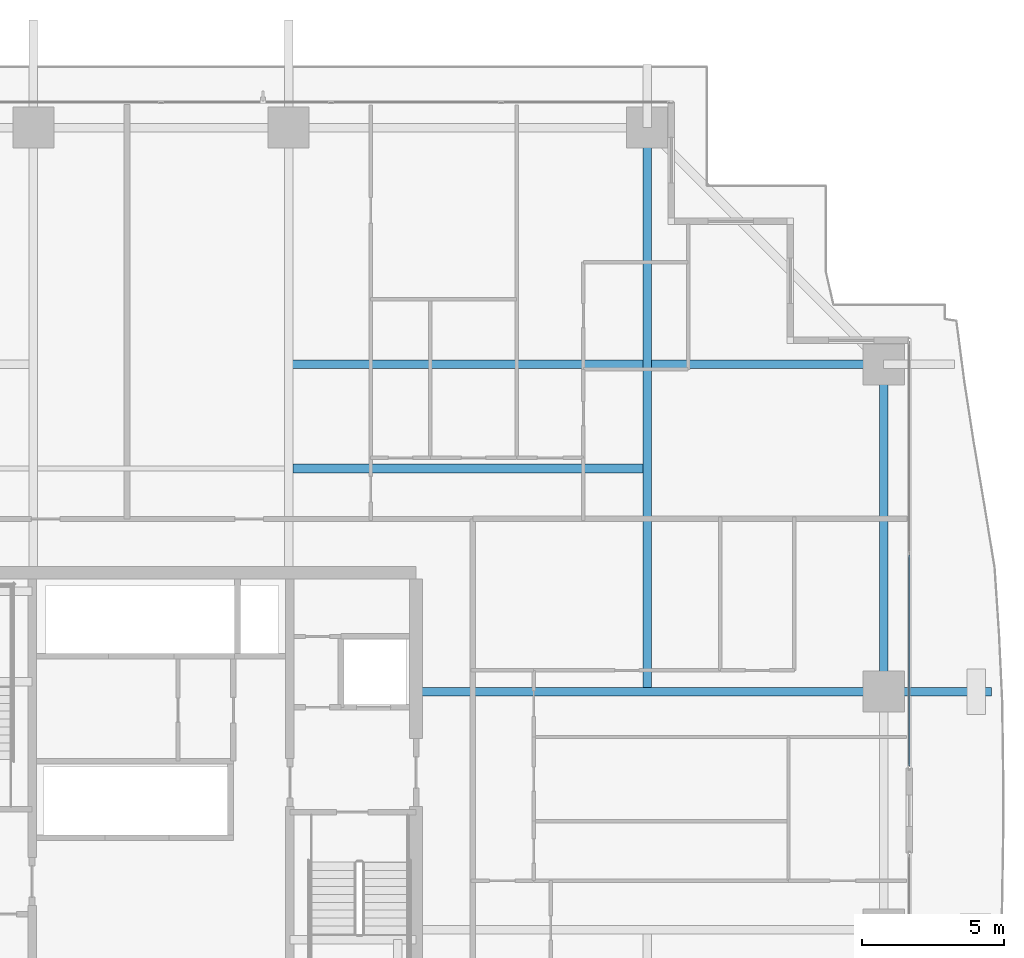
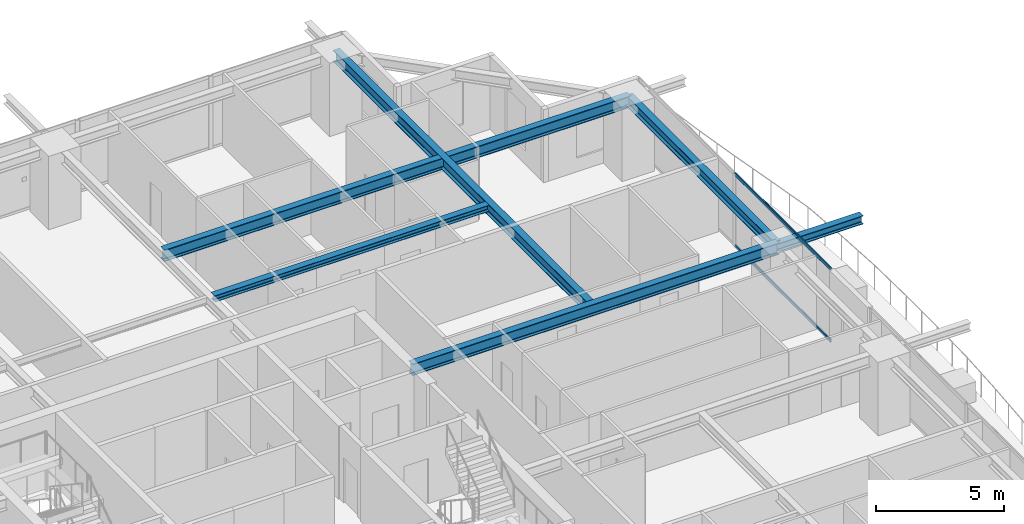
# One storey, part 22 of 39: 6 beams, 2 members, 1 element without a shape of its own.
"""IFC4 building model written with IfcOpenShell, lengths in metres."""

from ifc_helpers import new_model, si_unit, direction, frame, origin, origin_2d, place, context, subcontext, project, spatial, hollow_rectangle, i_section, extrude, source, transform, mapped, material, layer, layer_set, material_profile, profile_set, type_object, element, aggregate, save


model = new_model("IFC4")

# Units and contexts
model_context = context("Model", 3, precision=1e-05, world=origin(), true_north=direction((0.0, 1.0)))
body_context = subcontext(model_context, "Body", "Model", "MODEL_VIEW")
ifc_project = project(units=[si_unit("LENGTHUNIT", "METRE"), si_unit("AREAUNIT", "SQUARE_METRE"), si_unit("VOLUMEUNIT", "CUBIC_METRE"), si_unit("PLANEANGLEUNIT", "RADIAN"), si_unit("MASSUNIT", "GRAM", prefix="KILO")], contexts=[model_context])

# Site, building, storey
site_placement = place(None, origin())
site = spatial("IfcSite", under=ifc_project, at=site_placement, CompositionType="ELEMENT")
building_placement = place(site_placement, origin())
building = spatial("IfcBuilding", under=site, at=building_placement, Name="Serunith Strait Residences", CompositionType="ELEMENT")
storey_placement = place(building_placement, frame((0.0, 0.0, 64.199951171875)))
storey = spatial("IfcBuildingStorey", under=building, at=storey_placement, Name="L15", CompositionType="ELEMENT", Elevation=64.199951171875)

# Beams
ifc_material_1 = material(Name="Steel S355J2", Category="steel")
ifc_material_profile_1 = material_profile(ifc_material_1, i_section(OverallWidth=0.300048828125, OverallDepth=0.550048828125, WebThickness=0.014892578125, FlangeThickness=0.029052734375, FilletRadius=0.027099609375, at=origin_2d()), Name="HEB 550")
ifc_profile_set_1 = profile_set([ifc_material_profile_1], Name="Steel S355J2")
beam_type_1 = type_object("IfcBeamType", Name="BM-HEB550", PredefinedType="BEAM", material=ifc_profile_set_1)
shared_shape_1 = source(origin(), body_context, "Body", "SweptSolid", [
    extrude(i_section(OverallWidth=0.300048828125, OverallDepth=0.550048828125, WebThickness=0.014892578125, FlangeThickness=0.029052734375, FilletRadius=0.027099609375, at=origin_2d()), origin(), (0.0, 0.0, 1.0), 16.5),
])
beam_1_placement = place(storey_placement, frame((41.39990234375, 29.39990234375, 3.212158203125), z_axis=(1.0, 0.0, 0.0), x_axis=(0.0, 1.0, 0.0)))
element("IfcBeam", 1, at=beam_1_placement, inside=storey, type_object=beam_type_1, Name="L15 Primary Floor Girder TC-E3", PredefinedType="BEAM", context=body_context, shape_type="MappedRepresentation", body=[
    mapped(shared_shape_1, transform((0.0, 0.0, 0.0), scale=1.0)),
])
shared_shape_2 = source(origin(), body_context, "Body", "SweptSolid", [
    extrude(i_section(OverallWidth=0.300048828125, OverallDepth=0.550048828125, WebThickness=0.014892578125, FlangeThickness=0.029052734375, FilletRadius=0.027099609375, at=origin_2d()), origin(), (0.0, 0.0, 1.0), 19.900146484375),
])
beam_2_placement = place(storey_placement, frame((49.550048828125, 29.39990234375, 3.212158203125), z_axis=(0.0, 1.0, 0.0), x_axis=(-1.0, 0.0, 0.0)))
element("IfcBeam", 2, at=beam_2_placement, inside=storey, type_object=beam_type_1, Name="L15 Orthogonal Corner Girder TC-N4", PredefinedType="BEAM", context=body_context, shape_type="MappedRepresentation", body=[
    mapped(shared_shape_2, transform((0.0, 0.0, 0.0), scale=1.0)),
])
shared_shape_3 = source(origin(), body_context, "Body", "SweptSolid", [
    extrude(i_section(OverallWidth=0.300048828125, OverallDepth=0.550048828125, WebThickness=0.014892578125, FlangeThickness=0.029052734375, FilletRadius=0.027099609375, at=origin_2d()), origin(), (0.0, 0.0, 1.0), 21.0),
])
beam_3_placement = place(storey_placement, frame((36.89990234375, 40.949951171875, 3.212158203125), z_axis=(1.0, 0.0, 0.0), x_axis=(0.0, 1.0, 0.0)))
element("IfcBeam", 3, at=beam_3_placement, inside=storey, type_object=beam_type_1, Name="L15 Orthogonal Corner Girder TC-E4", PredefinedType="BEAM", context=body_context, shape_type="MappedRepresentation", body=[
    mapped(shared_shape_3, transform((0.0, 0.0, 0.0), scale=1.0)),
])
ifc_material_profile_2 = material_profile(ifc_material_1, i_section(OverallWidth=0.300048828125, OverallDepth=0.5, WebThickness=0.014404296875, FlangeThickness=0.028076171875, FilletRadius=0.027099609375, at=origin_2d()), Name="HEB 500")
ifc_profile_set_2 = profile_set([ifc_material_profile_2], Name="Steel S355J2")
beam_type_2 = type_object("IfcBeamType", Name="BM-HEB500", PredefinedType="BEAM", material=ifc_profile_set_2)
shared_shape_4 = source(origin(), body_context, "Body", "SweptSolid", [
    extrude(i_section(OverallWidth=0.300048828125, OverallDepth=0.5, WebThickness=0.014404296875, FlangeThickness=0.028076171875, FilletRadius=0.027099609375, at=origin_2d()), origin(), (0.0, 0.0, 1.0), 11.550048828125),
])
beam_4_placement = place(storey_placement, frame((57.89990234375, 29.39990234375, 3.237060546875), z_axis=(0.0, 1.0, 0.0), x_axis=(-1.0, 0.0, 0.0)))
element("IfcBeam", 4, at=beam_4_placement, inside=storey, type_object=beam_type_2, Name="L15 Perimeter Ring Beam 07", PredefinedType="BEAM", context=body_context, shape_type="MappedRepresentation", body=[
    mapped(shared_shape_4, transform((0.0, 0.0, 0.0), scale=1.0)),
])
ifc_material_profile_3 = material_profile(ifc_material_1, i_section(OverallWidth=0.300048828125, OverallDepth=0.39990234375, WebThickness=0.013427734375, FlangeThickness=0.02392578125, FilletRadius=0.027099609375, at=origin_2d()), Name="HEB 400")
ifc_profile_set_3 = profile_set([ifc_material_profile_3], Name="Steel S355J2")
beam_type_3 = type_object("IfcBeamType", Name="BM-HEB400", PredefinedType="BEAM", material=ifc_profile_set_3)
shared_shape_5 = source(origin(), body_context, "Body", "SweptSolid", [
    extrude(i_section(OverallWidth=0.300048828125, OverallDepth=0.39990234375, WebThickness=0.013427734375, FlangeThickness=0.02392578125, FilletRadius=0.027099609375, at=origin_2d()), origin(), (0.0, 0.0, 1.0), 3.800048828125),
])
beam_5_placement = place(storey_placement, frame((57.89990234375, 29.39990234375, 3.257080078125), z_axis=(1.0, 0.0, 0.0), x_axis=(0.0, 1.0, 0.0)))
element("IfcBeam", 5, at=beam_5_placement, inside=storey, type_object=beam_type_3, Name="L16 Cantilevered Balcony Rib TC-E3", PredefinedType="BEAM", context=body_context, shape_type="MappedRepresentation", body=[
    mapped(shared_shape_5, transform((0.0, 0.0, 0.0), scale=1.0)),
])
ifc_material_profile_4 = material_profile(ifc_material_1, i_section(OverallWidth=0.300048828125, OverallDepth=0.300048828125, WebThickness=0.010986328125, FlangeThickness=0.01904296875, FilletRadius=0.027099609375, at=origin_2d()), Name="HEB 300")
ifc_profile_set_4 = profile_set([ifc_material_profile_4], Name="Steel S355J2")
beam_type_4 = type_object("IfcBeamType", Name="BM-HEB300", PredefinedType="JOIST", material=ifc_profile_set_4)
shared_shape_6 = source(origin(), body_context, "Body", "SweptSolid", [
    extrude(i_section(OverallWidth=0.300048828125, OverallDepth=0.300048828125, WebThickness=0.010986328125, FlangeThickness=0.01904296875, FilletRadius=0.027099609375, at=origin_2d()), origin(), (0.0, 0.0, 1.0), 12.349853515625),
])
beam_6_placement = place(storey_placement, frame((37.050048828125, 37.27490234375, 3.337158203125), z_axis=(1.0, 0.0, 0.0), x_axis=(0.0, 1.0, 0.0)))
element("IfcBeam", 6, at=beam_6_placement, inside=storey, type_object=beam_type_4, Name="L15 Composite Floor Joist 06", PredefinedType="JOIST", context=body_context, shape_type="MappedRepresentation", body=[
    mapped(shared_shape_6, transform((0.0, 0.0, 0.0), scale=1.0)),
])

# Curtain wall, members
ifc_material_2 = material(Name="Pale-Champagne Anodised Aluminium", Category="aluminium")
ifc_layer = layer(ifc_material_2, 0.199951171875, Name="Pale-Champagne Anodised Aluminium")
ifc_layer_set = layer_set([ifc_layer], Name="Pale-Champagne Anodised Aluminium")
curtain_wall_type = type_object("IfcCurtainWallType", Name="CW-SYS1", PredefinedType="NOTDEFINED", material=ifc_layer_set)
curtain_wall_placement = place(storey_placement, origin())
curtain_wall = element("IfcCurtainWall", 7, at=curtain_wall_placement, inside=storey, type_object=curtain_wall_type, Name="L15 E Unitised Fritted Curtain Wall", PredefinedType="NOTDEFINED")
ifc_material_profile_5 = material_profile(ifc_material_2, hollow_rectangle(XDim=0.06005859375, YDim=0.159912109375, WallThickness=0.00341796875, InnerFilletRadius=0.00537109375, OuterFilletRadius=0.0087890625, at=origin_2d()), Name="ALU 160x60x3.5")
ifc_profile_set_5 = profile_set([ifc_material_profile_5], Name="Pale-Champagne Anodised Aluminium")
member_type = type_object("IfcMemberType", Name="CW-SYS1-TRAN", PredefinedType="USERDEFINED", material=ifc_profile_set_5)
shared_shape_7 = source(origin(), body_context, "Body", "SweptSolid", [
    extrude(hollow_rectangle(XDim=0.06005859375, YDim=0.159912109375, WallThickness=0.00341796875, InnerFilletRadius=0.00537109375, OuterFilletRadius=0.0087890625, at=origin_2d()), origin(), (0.0, 0.0, 1.0), 7.445068359375),
])
member_1_placement = place(storey_placement, frame((58.800048828125, 26.77001953125, 0.030029296875), z_axis=(0.0, 1.0, 0.0), x_axis=(-1.0, 0.0, 0.0)))
member_1 = element("IfcMember", 8, at=member_1_placement, type_object=member_type, Name="CW-1 transom 1.1", ObjectType="TRANSOM", PredefinedType="USERDEFINED", context=body_context, shape_type="MappedRepresentation", body=[
    mapped(shared_shape_7, transform((0.0, 0.0, 0.0), scale=1.0)),
])
member_2_placement = place(storey_placement, frame((58.800048828125, 26.77001953125, 3.445068359375), z_axis=(0.0, 1.0, 0.0), x_axis=(-1.0, 0.0, 0.0)))
member_2 = element("IfcMember", 9, at=member_2_placement, type_object=member_type, Name="CW-1 transom 1.2", ObjectType="TRANSOM", PredefinedType="USERDEFINED", context=body_context, shape_type="MappedRepresentation", body=[
    mapped(shared_shape_7, transform((0.0, 0.0, 0.0), scale=1.0)),
])
aggregate(curtain_wall, [member_1, member_2])

save(model, "model.ifc")
